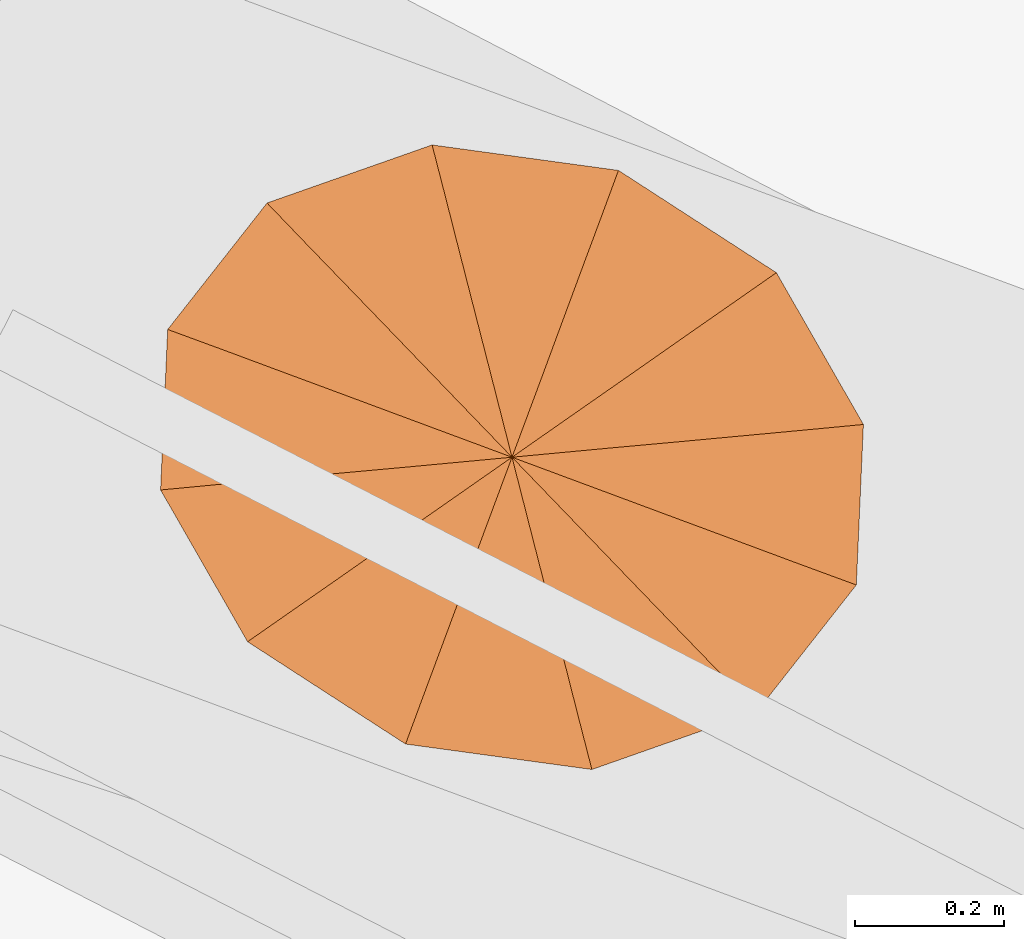
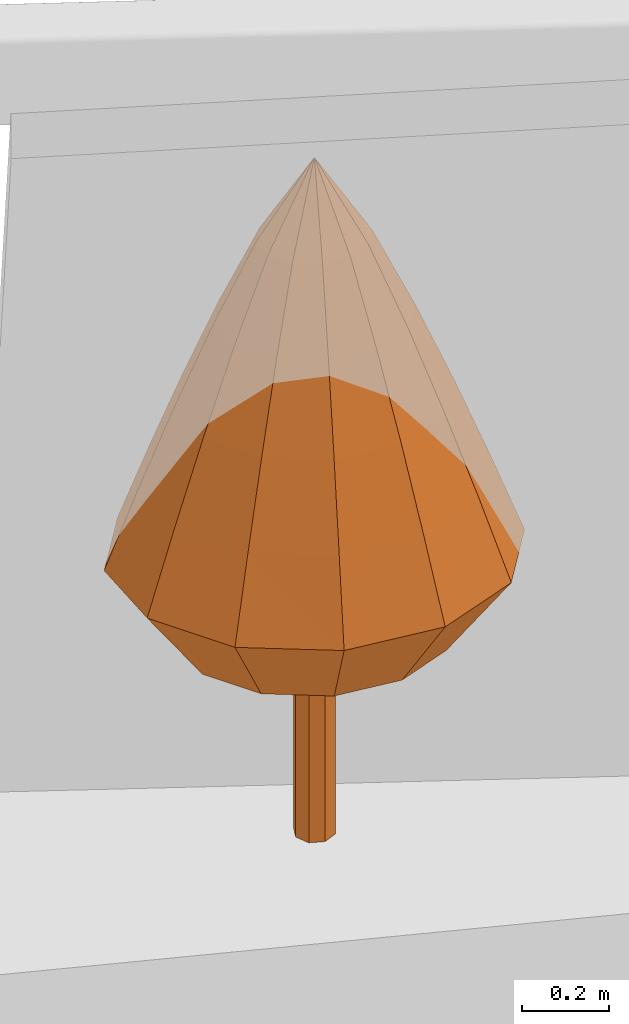
# One storey, part 40 of 40: 1 geographic element.
"""IFC4 building model written with IfcOpenShell, lengths in metres."""

from ifc_helpers import new_model, si_unit, direction, frame, origin, place, context, subcontext, project, spatial, faceted_brep, material, constituent, constituent_set, type_object, element, save


model = new_model("IFC4")

# Units and contexts
model_context = context("Model", 3, precision=1e-05, world=origin(), true_north=direction((0.0, 1.0)))
body_context = subcontext(model_context, "Body", "Model", "MODEL_VIEW")
ifc_project = project(units=[si_unit("LENGTHUNIT", "METRE"), si_unit("AREAUNIT", "SQUARE_METRE"), si_unit("VOLUMEUNIT", "CUBIC_METRE"), si_unit("PLANEANGLEUNIT", "RADIAN"), si_unit("MASSUNIT", "GRAM", prefix="KILO")], contexts=[model_context])

# Site, building, storey
site_placement = place(None, origin())
site = spatial("IfcSite", under=ifc_project, at=site_placement, CompositionType="ELEMENT")
building_placement = place(site_placement, origin())
building = spatial("IfcBuilding", under=site, at=building_placement, Name="Taillehof Tower", CompositionType="ELEMENT")
storey_placement = place(building_placement, frame((0.0, 0.0, 275.199951171875)))
storey = spatial("IfcBuildingStorey", under=building, at=storey_placement, Name="L77", CompositionType="ELEMENT", Elevation=275.199951171875)

# Geographic element
ifc_material_1 = material(Name="Tree bark", Category="timber")
ifc_constituent_1 = constituent(ifc_material_1, Name="Trunk", Category="timber")
ifc_material_2 = material(Name="Tree foliage")
ifc_constituent_2 = constituent(ifc_material_2, Name="Crown")
ifc_constituent_set = constituent_set(constituents=[ifc_constituent_1, ifc_constituent_2], Name="Tree TR10 Scots pine standard")
geographic_element_type = type_object("IfcGeographicElementType", Name="Tree TR10 Scots pine standard", PredefinedType="USERDEFINED", material=ifc_constituent_set)
geographic_element_placement = place(storey_placement, frame((8.7783203125, 19.5166015625, 0.75)))
element("IfcGeographicElement", 1, at=geographic_element_placement, inside=storey, type_object=geographic_element_type, Name="Tree TR10 Scots pine standard", ObjectType="TREE", PredefinedType="USERDEFINED", context=body_context, shape_type="Brep", body=[
    faceted_brep([(0.050048828125, 0.0, 0.0), (0.035400390625, 0.035400390625, 0.0), (0.035400390625, 0.035400390625, 1.035400390625), (0.050048828125, 0.0, 1.035400390625), (0.0, 0.050048828125, 0.0), (0.0, 0.050048828125, 1.035400390625), (-0.035400390625, 0.035400390625, 0.0), (-0.035400390625, 0.035400390625, 1.035400390625), (-0.050048828125, 0.0, 0.0), (-0.050048828125, 0.0, 1.035400390625), (-0.035400390625, -0.035400390625, 0.0), (-0.035400390625, -0.035400390625, 1.035400390625), (0.0, -0.050048828125, 0.0), (0.0, -0.050048828125, 1.035400390625), (0.035400390625, -0.035400390625, 0.0), (0.035400390625, -0.035400390625, 1.035400390625)], [[[0, 1, 2, 3]], [[1, 4, 5, 2]], [[4, 6, 7, 5]], [[6, 8, 9, 7]], [[8, 10, 11, 9]], [[10, 12, 13, 11]], [[12, 14, 15, 13]], [[14, 0, 3, 15]], [[14, 12, 10, 8, 6, 4, 1, 0]], [[3, 2, 5, 7, 9, 11, 13, 15]]]),
    faceted_brep([(-0.309326171875, 0.114990234375, 0.570068359375), (-0.315673828125, -0.029296875, 0.570068359375), (-0.471435546875, -0.0439453125, 0.791748046875), (-0.4619140625, 0.17138671875, 0.791748046875), (-0.237548828125, -0.165771484375, 0.570068359375), (-0.354736328125, -0.24755859375, 0.791748046875), (-0.095703125, -0.2578125, 0.570068359375), (-0.142822265625, -0.384765625, 0.791748046875), (0.07177734375, -0.28076171875, 0.570068359375), (0.107177734375, -0.4189453125, 0.791748046875), (0.219970703125, -0.228271484375, 0.570068359375), (0.32861328125, -0.341064453125, 0.791748046875), (0.309326171875, -0.114990234375, 0.570068359375), (0.4619140625, -0.17138671875, 0.791748046875), (0.315673828125, 0.029296875, 0.570068359375), (0.471435546875, 0.0439453125, 0.791748046875), (0.237548828125, 0.165771484375, 0.570068359375), (0.354736328125, 0.24755859375, 0.791748046875), (0.095703125, 0.2578125, 0.570068359375), (0.142822265625, 0.384765625, 0.791748046875), (-0.07177734375, 0.28076171875, 0.570068359375), (-0.107177734375, 0.4189453125, 0.791748046875), (-0.219970703125, 0.228271484375, 0.570068359375), (-0.32861328125, 0.341064453125, 0.791748046875), (-0.394287109375, -0.03662109375, 1.013427734375), (-0.38623046875, 0.1435546875, 1.013427734375), (-0.296630859375, -0.20703125, 1.013427734375), (-0.11962890625, -0.322021484375, 1.013427734375), (0.089599609375, -0.3505859375, 1.013427734375), (0.27490234375, -0.28515625, 1.013427734375), (0.38623046875, -0.1435546875, 1.013427734375), (0.394287109375, 0.03662109375, 1.013427734375), (0.296630859375, 0.20703125, 1.013427734375), (0.11962890625, 0.322021484375, 1.013427734375), (-0.089599609375, 0.3505859375, 1.013427734375), (-0.27490234375, 0.28515625, 1.013427734375), (-0.313232421875, -0.029052734375, 1.235107421875), (-0.306884765625, 0.114013671875, 1.235107421875), (-0.235595703125, -0.16455078125, 1.235107421875), (-0.094970703125, -0.255859375, 1.235107421875), (0.0712890625, -0.278564453125, 1.235107421875), (0.21826171875, -0.2265625, 1.235107421875), (0.306884765625, -0.114013671875, 1.235107421875), (0.313232421875, 0.029052734375, 1.235107421875), (0.235595703125, 0.16455078125, 1.235107421875), (0.094970703125, 0.255859375, 1.235107421875), (-0.0712890625, 0.278564453125, 1.235107421875), (-0.21826171875, 0.2265625, 1.235107421875), (-0.2265625, -0.02099609375, 1.456787109375), (-0.221923828125, 0.08251953125, 1.456787109375), (-0.17041015625, -0.118896484375, 1.456787109375), (-0.068603515625, -0.184814453125, 1.456787109375), (0.051513671875, -0.201416015625, 1.456787109375), (0.15771484375, -0.163818359375, 1.456787109375), (0.221923828125, -0.08251953125, 1.456787109375), (0.2265625, 0.02099609375, 1.456787109375), (0.17041015625, 0.118896484375, 1.456787109375), (0.068603515625, 0.184814453125, 1.456787109375), (-0.051513671875, 0.201416015625, 1.456787109375), (-0.15771484375, 0.163818359375, 1.456787109375), (-0.130126953125, -0.01220703125, 1.67822265625), (-0.12744140625, 0.04736328125, 1.67822265625), (-0.097900390625, -0.068359375, 1.67822265625), (-0.03955078125, -0.106201171875, 1.67822265625), (0.029541015625, -0.11572265625, 1.67822265625), (0.090576171875, -0.093994140625, 1.67822265625), (0.12744140625, -0.04736328125, 1.67822265625), (0.130126953125, 0.01220703125, 1.67822265625), (0.097900390625, 0.068359375, 1.67822265625), (0.03955078125, 0.106201171875, 1.67822265625), (-0.029541015625, 0.11572265625, 1.67822265625), (-0.090576171875, 0.093994140625, 1.67822265625), (0.0, 0.0, 1.89990234375)], [[[0, 1, 2, 3]], [[1, 4, 5, 2]], [[4, 6, 7, 5]], [[6, 8, 9, 7]], [[8, 10, 11, 9]], [[10, 12, 13, 11]], [[12, 14, 15, 13]], [[14, 16, 17, 15]], [[16, 18, 19, 17]], [[18, 20, 21, 19]], [[20, 22, 23, 21]], [[22, 0, 3, 23]], [[3, 2, 24, 25]], [[2, 5, 26, 24]], [[5, 7, 27, 26]], [[7, 9, 28, 27]], [[9, 11, 29, 28]], [[11, 13, 30, 29]], [[13, 15, 31, 30]], [[15, 17, 32, 31]], [[17, 19, 33, 32]], [[19, 21, 34, 33]], [[21, 23, 35, 34]], [[23, 3, 25, 35]], [[25, 24, 36, 37]], [[24, 26, 38, 36]], [[26, 27, 39, 38]], [[27, 28, 40, 39]], [[28, 29, 41, 40]], [[29, 30, 42, 41]], [[30, 31, 43, 42]], [[31, 32, 44, 43]], [[32, 33, 45, 44]], [[33, 34, 46, 45]], [[34, 35, 47, 46]], [[35, 25, 37, 47]], [[37, 36, 48, 49]], [[36, 38, 50, 48]], [[38, 39, 51, 50]], [[39, 40, 52, 51]], [[40, 41, 53, 52]], [[41, 42, 54, 53]], [[42, 43, 55, 54]], [[43, 44, 56, 55]], [[44, 45, 57, 56]], [[45, 46, 58, 57]], [[46, 47, 59, 58]], [[47, 37, 49, 59]], [[49, 48, 60, 61]], [[48, 50, 62, 60]], [[50, 51, 63, 62]], [[51, 52, 64, 63]], [[52, 53, 65, 64]], [[53, 54, 66, 65]], [[54, 55, 67, 66]], [[55, 56, 68, 67]], [[56, 57, 69, 68]], [[57, 58, 70, 69]], [[58, 59, 71, 70]], [[59, 49, 61, 71]], [[61, 60, 72]], [[60, 62, 72]], [[62, 63, 72]], [[63, 64, 72]], [[64, 65, 72]], [[65, 66, 72]], [[66, 67, 72]], [[67, 68, 72]], [[68, 69, 72]], [[69, 70, 72]], [[70, 71, 72]], [[71, 61, 72]], [[22, 20, 18, 16, 14, 12, 10, 8, 6, 4, 1, 0]]]),
])

save(model, "model.ifc")
